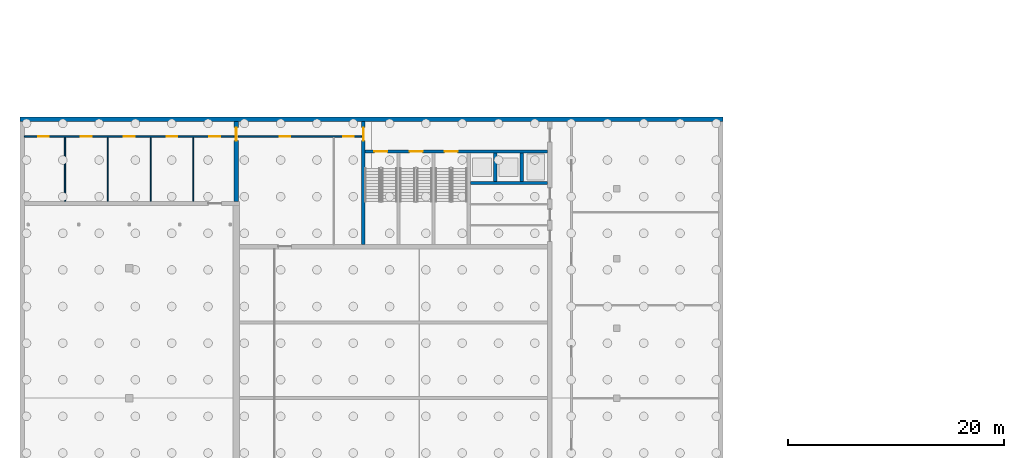
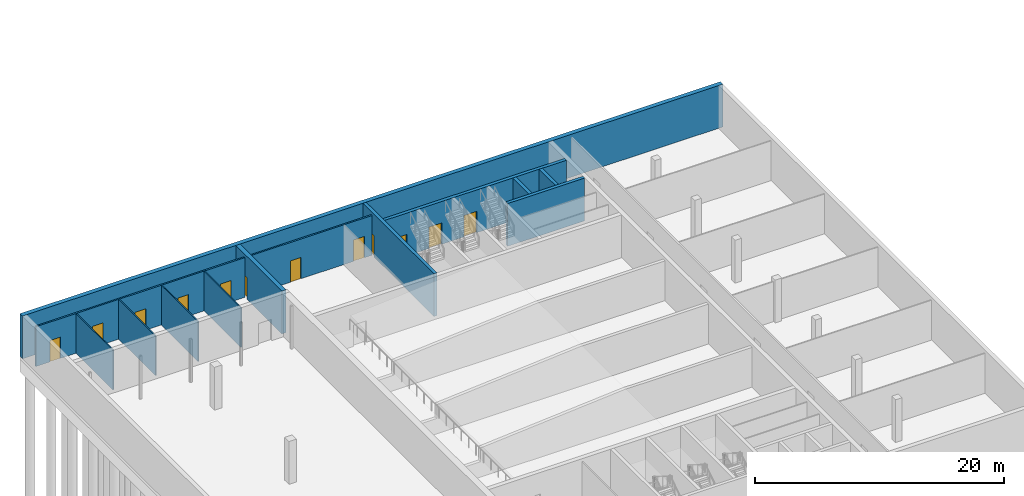
# One storey, part 16 of 32: 13 walls, 12 doors, 12 openings.
"""IFC4 building model written with IfcOpenShell, lengths in metres."""

from ifc_helpers import new_model, si_unit, direction, frame, frame_2d, origin, place, context, subcontext, project, spatial, rectangle, extrude, material, layer, layer_set, type_object, element, fill, save


model = new_model("IFC4")

# Units and contexts
model_context = context("Model", 3, precision=1e-05, world=origin(), true_north=direction((0.0, 1.0)))
body_context = subcontext(model_context, "Body", "Model", "MODEL_VIEW")
ifc_project = project(units=[si_unit("LENGTHUNIT", "METRE"), si_unit("AREAUNIT", "SQUARE_METRE"), si_unit("VOLUMEUNIT", "CUBIC_METRE"), si_unit("PLANEANGLEUNIT", "RADIAN"), si_unit("MASSUNIT", "GRAM", prefix="KILO")], contexts=[model_context])

# Site, building, storey
site_placement = place(None, origin())
site = spatial("IfcSite", under=ifc_project, at=site_placement, CompositionType="ELEMENT")
building_placement = place(site_placement, origin())
building = spatial("IfcBuilding", under=site, at=building_placement, Name="Noorbagh Ring Tower", CompositionType="ELEMENT")
storey_placement = place(building_placement, frame((0.0, 0.0, -4.199951171875)))
storey = spatial("IfcBuildingStorey", under=building, at=storey_placement, Name="B1", CompositionType="ELEMENT", Elevation=-4.199951171875)

# Walls
ifc_material_1 = material(Name="Gypsum board on steel studs", Category="steel")
ifc_layer_1 = layer(ifc_material_1, 0.10009765625)
ifc_layer_set_1 = layer_set([ifc_layer_1], Name="Gypsum board on steel studs")
wall_type_1 = type_object("IfcWallType", Name="TH-PART-100", PredefinedType="PARTITIONING", material=ifc_layer_set_1)
for number, where, z_axis, x_axis, name in (
    (1, (-155.840087890625, 23.199951171875, 0.0), (0.0, 0.0, 1.0), (0.0, 1.0, 0.0), "B1/th-wall/041"),
    (2, (-151.8798828125, 23.199951171875, 0.0), (0.0, 0.0, 1.0), (0.0, 1.0, 0.0), "B1/th-wall/043"),
    (3, (-147.919921875, 23.199951171875, 0.0), (0.0, 0.0, 1.0), (0.0, 1.0, 0.0), "B1/th-wall/045"),
    (4, (-143.9599609375, 23.199951171875, 0.0), (0.0, 0.0, 1.0), (0.0, 1.0, 0.0), "B1/th-wall/047"),
):
    element("IfcWall", number, at=place(storey_placement, frame(where, z_axis=z_axis, x_axis=x_axis)), inside=storey, type_object=wall_type_1, Name=name, PredefinedType="PARTITIONING", context=body_context, shape_type="SweptSolid", body=[
        extrude(rectangle(XDim=5.925048828125, YDim=0.10009765625, at=frame_2d((2.96240234375, 0.0))), origin(), (0.0, 0.0, 1.0), 3.89990234375),
    ])

# Wall, openings, doors
ifc_material_2 = material(Name="Gypsum board on steel studs", Category="steel")
ifc_layer_2 = layer(ifc_material_2, 0.14990234375)
ifc_layer_set_2 = layer_set([ifc_layer_2], Name="Gypsum board on steel studs")
wall_type_2 = type_object("IfcWallType", Name="TH-PART-150", PredefinedType="PARTITIONING", material=ifc_layer_set_2)
wall_1_placement = place(storey_placement, frame((-159.60009765625, 29.199951171875, 0.0), z_axis=(0.0, 0.0, 1.0), x_axis=(1.0, 0.0, 0.0)))
wall_1 = element("IfcWall", 5, at=wall_1_placement, inside=storey, type_object=wall_type_2, Name="B1/th-wall/039", PredefinedType="PARTITIONING", context=body_context, shape_type="SweptSolid", body=[
    extrude(rectangle(XDim=19.400146484375, YDim=0.14990234375, at=frame_2d((9.7001953125, 0.0))), origin(), (0.0, 0.0, 1.0), 3.89990234375),
])
opening_1_placement = place(wall_1_placement, frame((1.280029296875, 0.0, 0.0)))
opening_1 = element("IfcOpeningElement", 6, at=opening_1_placement, cuts=wall_1, Name="Opening TB1-D12", PredefinedType="OPENING", context=body_context, shape_type="SweptSolid", body=[
    extrude(rectangle(XDim=1.0, YDim=2.10009765625, at=frame_2d((0.5, 1.050048828125))), frame((0.0, 0.0849609375, 0.0), z_axis=(0.0, -1.0, 0.0), x_axis=(1.0, 0.0, 0.0)), (0.0, 0.0, 1.0), 0.169921875),
])
opening_2_placement = place(wall_1_placement, frame((5.239990234375, 0.0, 0.0)))
opening_2 = element("IfcOpeningElement", 7, at=opening_2_placement, cuts=wall_1, Name="Opening TB1-D13", PredefinedType="OPENING", context=body_context, shape_type="SweptSolid", body=[
    extrude(rectangle(XDim=1.0, YDim=2.10009765625, at=frame_2d((0.5, 1.050048828125))), frame((0.0, 0.0849609375, 0.0), z_axis=(0.0, -1.0, 0.0), x_axis=(1.0, 0.0, 0.0)), (0.0, 0.0, 1.0), 0.169921875),
])
opening_3_placement = place(wall_1_placement, frame((9.199951171875, 0.0, 0.0)))
opening_3 = element("IfcOpeningElement", 8, at=opening_3_placement, cuts=wall_1, Name="Opening TB1-D14", PredefinedType="OPENING", context=body_context, shape_type="SweptSolid", body=[
    extrude(rectangle(XDim=1.0, YDim=2.10009765625, at=frame_2d((0.5, 1.050048828125))), frame((0.0, 0.0849609375, 0.0), z_axis=(0.0, -1.0, 0.0), x_axis=(1.0, 0.0, 0.0)), (0.0, 0.0, 1.0), 0.169921875),
])
opening_4_placement = place(wall_1_placement, frame((13.159912109375, 0.0, 0.0)))
opening_4 = element("IfcOpeningElement", 9, at=opening_4_placement, cuts=wall_1, Name="Opening TB1-D15", PredefinedType="OPENING", context=body_context, shape_type="SweptSolid", body=[
    extrude(rectangle(XDim=1.0, YDim=2.10009765625, at=frame_2d((0.5, 1.050048828125))), frame((0.0, 0.0849609375, 0.0), z_axis=(0.0, -1.0, 0.0), x_axis=(1.0, 0.0, 0.0)), (0.0, 0.0, 1.0), 0.169921875),
])
opening_5_placement = place(wall_1_placement, frame((17.1201171875, 0.0, 0.0)))
opening_5 = element("IfcOpeningElement", 10, at=opening_5_placement, cuts=wall_1, Name="Opening TB1-D16", PredefinedType="OPENING", context=body_context, shape_type="SweptSolid", body=[
    extrude(rectangle(XDim=1.0, YDim=2.10009765625, at=frame_2d((0.5, 1.050048828125))), frame((0.0, 0.0849609375, 0.0), z_axis=(0.0, -1.0, 0.0), x_axis=(1.0, 0.0, 0.0)), (0.0, 0.0, 1.0), 0.169921875),
])
ifc_material_3 = material(Name="Timber", Category="wood")
door_type_1 = type_object("IfcDoorType", Name="TH-DOOR-1000", OperationType="SINGLE_SWING_LEFT", PredefinedType="DOOR", material=ifc_material_3)
door_1_placement = place(opening_1_placement, origin())
door_1 = element("IfcDoor", 11, at=door_1_placement, inside=storey, type_object=door_type_1, Name="Door Corridor to Scene dock store TB1-D12", OperationType="SINGLE_SWING_LEFT", OverallHeight=2.10009765625, OverallWidth=1.0, PredefinedType="DOOR", context=body_context, shape_type="SweptSolid", body=[
    extrude(rectangle(XDim=1.0, YDim=2.10009765625, at=frame_2d((0.5, 1.050048828125))), frame((0.0, 0.02490234375, 0.0), z_axis=(0.0, -1.0, 0.0), x_axis=(1.0, 0.0, 0.0)), (0.0, 0.0, 1.0), 0.050048828125),
])
fill(opening_1, door_1)
door_2_placement = place(opening_2_placement, origin())
door_2 = element("IfcDoor", 12, at=door_2_placement, inside=storey, type_object=door_type_1, Name="Door Corridor to Chorus dressing room 1 TB1-D13", OperationType="SINGLE_SWING_LEFT", OverallHeight=2.10009765625, OverallWidth=1.0, PredefinedType="DOOR", context=body_context, shape_type="SweptSolid", body=[
    extrude(rectangle(XDim=1.0, YDim=2.10009765625, at=frame_2d((0.5, 1.050048828125))), frame((0.0, 0.02490234375, 0.0), z_axis=(0.0, -1.0, 0.0), x_axis=(1.0, 0.0, 0.0)), (0.0, 0.0, 1.0), 0.050048828125),
])
fill(opening_2, door_2)
door_3_placement = place(opening_3_placement, origin())
door_3 = element("IfcDoor", 13, at=door_3_placement, inside=storey, type_object=door_type_1, Name="Door Corridor to Chorus dressing room 2 TB1-D14", OperationType="SINGLE_SWING_LEFT", OverallHeight=2.10009765625, OverallWidth=1.0, PredefinedType="DOOR", context=body_context, shape_type="SweptSolid", body=[
    extrude(rectangle(XDim=1.0, YDim=2.10009765625, at=frame_2d((0.5, 1.050048828125))), frame((0.0, 0.02490234375, 0.0), z_axis=(0.0, -1.0, 0.0), x_axis=(1.0, 0.0, 0.0)), (0.0, 0.0, 1.0), 0.050048828125),
])
fill(opening_3, door_3)
door_4_placement = place(opening_4_placement, origin())
door_4 = element("IfcDoor", 14, at=door_4_placement, inside=storey, type_object=door_type_1, Name="Door Corridor to Wardrobe store TB1-D15", OperationType="SINGLE_SWING_RIGHT", OverallHeight=2.10009765625, OverallWidth=1.0, PredefinedType="DOOR", context=body_context, shape_type="SweptSolid", body=[
    extrude(rectangle(XDim=1.0, YDim=2.10009765625, at=frame_2d((0.5, 1.050048828125))), frame((0.0, 0.02490234375, 0.0), z_axis=(0.0, -1.0, 0.0), x_axis=(1.0, 0.0, 0.0)), (0.0, 0.0, 1.0), 0.050048828125),
])
fill(opening_4, door_4)
ifc_material_4 = material(Name="Steel", Category="steel")
door_type_2 = type_object("IfcDoorType", Name="TH-DOOR-FIRE-1000", OperationType="SINGLE_SWING_LEFT", PredefinedType="DOOR", material=ifc_material_4)
door_5_placement = place(opening_5_placement, origin())
door_5 = element("IfcDoor", 15, at=door_5_placement, inside=storey, type_object=door_type_2, Name="Door Corridor to Understage access lobby north TB1-D16", OperationType="SINGLE_SWING_RIGHT", OverallHeight=2.10009765625, OverallWidth=1.0, PredefinedType="DOOR", context=body_context, shape_type="SweptSolid", body=[
    extrude(rectangle(XDim=1.0, YDim=2.10009765625, at=frame_2d((0.5, 1.050048828125))), frame((0.0, 0.02490234375, 0.0), z_axis=(0.0, -1.0, 0.0), x_axis=(1.0, 0.0, 0.0)), (0.0, 0.0, 1.0), 0.050048828125),
])
fill(opening_5, door_5)

wall_2_placement = place(storey_placement, frame((-139.800048828125, 29.199951171875, 0.0), z_axis=(0.0, 0.0, 1.0), x_axis=(1.0, 0.0, 0.0)))
wall_2 = element("IfcWall", 16, at=wall_2_placement, inside=storey, type_object=wall_type_2, Name="B1/th-wall/040", PredefinedType="PARTITIONING", context=body_context, shape_type="SweptSolid", body=[
    extrude(rectangle(XDim=11.400146484375, YDim=0.14990234375, at=frame_2d((5.7001953125, 0.0))), origin(), (0.0, 0.0, 1.0), 3.89990234375),
])
opening_6_placement = place(wall_2_placement, frame((3.800048828125, 0.0, 0.0)))
opening_6 = element("IfcOpeningElement", 17, at=opening_6_placement, cuts=wall_2, Name="Opening TB1-D17", PredefinedType="OPENING", context=body_context, shape_type="SweptSolid", body=[
    extrude(rectangle(XDim=1.0, YDim=2.10009765625, at=frame_2d((0.5, 1.050048828125))), frame((0.0, 0.0849609375, 0.0), z_axis=(0.0, -1.0, 0.0), x_axis=(1.0, 0.0, 0.0)), (0.0, 0.0, 1.0), 0.169921875),
])
opening_7_placement = place(wall_2_placement, frame((9.675048828125, 0.0, 0.0)))
opening_7 = element("IfcOpeningElement", 18, at=opening_7_placement, cuts=wall_2, Name="Opening TB1-D18", PredefinedType="OPENING", context=body_context, shape_type="SweptSolid", body=[
    extrude(rectangle(XDim=1.0, YDim=2.10009765625, at=frame_2d((0.5, 1.050048828125))), frame((0.0, 0.0849609375, 0.0), z_axis=(0.0, -1.0, 0.0), x_axis=(1.0, 0.0, 0.0)), (0.0, 0.0, 1.0), 0.169921875),
])
door_6_placement = place(opening_6_placement, origin())
door_6 = element("IfcDoor", 19, at=door_6_placement, inside=storey, type_object=door_type_2, Name="Door Corridor to Chiller plant room TB1-D17", OperationType="SINGLE_SWING_LEFT", OverallHeight=2.10009765625, OverallWidth=1.0, PredefinedType="DOOR", context=body_context, shape_type="SweptSolid", body=[
    extrude(rectangle(XDim=1.0, YDim=2.10009765625, at=frame_2d((0.5, 1.050048828125))), frame((0.0, 0.02490234375, 0.0), z_axis=(0.0, -1.0, 0.0), x_axis=(1.0, 0.0, 0.0)), (0.0, 0.0, 1.0), 0.050048828125),
])
fill(opening_6, door_6)
door_7_placement = place(opening_7_placement, origin())
door_7 = element("IfcDoor", 20, at=door_7_placement, inside=storey, type_object=door_type_2, Name="Door Corridor to Fire pump room TB1-D18", OperationType="SINGLE_SWING_RIGHT", OverallHeight=2.10009765625, OverallWidth=1.0, PredefinedType="DOOR", context=body_context, shape_type="SweptSolid", body=[
    extrude(rectangle(XDim=1.0, YDim=2.10009765625, at=frame_2d((0.5, 1.050048828125))), frame((0.0, 0.02490234375, 0.0), z_axis=(0.0, -1.0, 0.0), x_axis=(1.0, 0.0, 0.0)), (0.0, 0.0, 1.0), 0.050048828125),
])
fill(opening_7, door_7)

# Wall, opening, door
ifc_material_5 = material(Name="Concrete C50/60", Category="concrete")
ifc_layer_3 = layer(ifc_material_5, 0.300048828125)
ifc_layer_set_3 = layer_set([ifc_layer_3], Name="Concrete C50/60")
wall_type_3 = type_object("IfcWallType", Name="TH-WALL-CORE", PredefinedType="SHEAR", material=ifc_layer_set_3)
wall_3_placement = place(storey_placement, frame((-128.25, 19.199951171875, 0.0), z_axis=(0.0, 0.0, 1.0), x_axis=(0.0, 1.0, 0.0)))
wall_3 = element("IfcWall", 21, at=wall_3_placement, inside=storey, type_object=wall_type_3, Name="Core wall", PredefinedType="SHEAR", context=body_context, shape_type="SweptSolid", body=[
    extrude(rectangle(XDim=11.400146484375, YDim=0.300048828125, at=frame_2d((5.7001953125, 0.0))), origin(), (0.0, 0.0, 1.0), 4.199951171875),
])
opening_8_placement = place(wall_3_placement, frame((9.60009765625, 0.0, 0.0)))
opening_8 = element("IfcOpeningElement", 22, at=opening_8_placement, cuts=wall_3, Name="Opening TB1-D20", PredefinedType="OPENING", context=body_context, shape_type="SweptSolid", body=[
    extrude(rectangle(XDim=1.199951171875, YDim=2.10009765625, at=frame_2d((0.60009765625, 1.050048828125))), frame((0.0, 0.16015625, 0.0), z_axis=(0.0, -1.0, 0.0), x_axis=(1.0, 0.0, 0.0)), (0.0, 0.0, 1.0), 0.320068359375),
])
ifc_material_6 = material(Name="Steel", Category="steel")
door_type_3 = type_object("IfcDoorType", Name="TH-DOOR-FIRE-1200", OperationType="SINGLE_SWING_LEFT", PredefinedType="DOOR", material=ifc_material_6)
door_8_placement = place(opening_8_placement, origin())
door_8 = element("IfcDoor", 23, at=door_8_placement, inside=storey, type_object=door_type_3, Name="Door Corridor to Exit lobby TB1-D20", OperationType="SINGLE_SWING_RIGHT", OverallHeight=2.10009765625, OverallWidth=1.199951171875, PredefinedType="DOOR", context=body_context, shape_type="SweptSolid", body=[
    extrude(rectangle(XDim=1.199951171875, YDim=2.10009765625, at=frame_2d((0.60009765625, 1.050048828125))), frame((0.0, 0.02490234375, 0.0), z_axis=(0.0, -1.0, 0.0), x_axis=(1.0, 0.0, 0.0)), (0.0, 0.0, 1.0), 0.050048828125),
])
fill(opening_8, door_8)

# Wall, openings, doors
wall_4_placement = place(storey_placement, frame((-128.10009765625, 27.800048828125, 0.0), z_axis=(0.0, 0.0, 1.0), x_axis=(1.0, 0.0, 0.0)))
wall_4 = element("IfcWall", 24, at=wall_4_placement, inside=storey, type_object=wall_type_3, Name="Exit lobby wall", PredefinedType="SHEAR", context=body_context, shape_type="SweptSolid", body=[
    extrude(rectangle(XDim=16.900146484375, YDim=0.300048828125, at=frame_2d((8.4501953125, 0.0))), origin(), (0.0, 0.0, 1.0), 4.199951171875),
])
opening_9_placement = place(wall_4_placement, frame((4.125, 0.0, 0.0)))
opening_9 = element("IfcOpeningElement", 25, at=opening_9_placement, cuts=wall_4, Name="Opening TB1-D21", PredefinedType="OPENING", context=body_context, shape_type="SweptSolid", body=[
    extrude(rectangle(XDim=1.199951171875, YDim=2.10009765625, at=frame_2d((0.60009765625, 1.050048828125))), frame((0.0, 0.16015625, 0.0), z_axis=(0.0, -1.0, 0.0), x_axis=(1.0, 0.0, 0.0)), (0.0, 0.0, 1.0), 0.320068359375),
])
opening_10_placement = place(wall_4_placement, frame((7.375, 0.0, 0.0)))
opening_10 = element("IfcOpeningElement", 26, at=opening_10_placement, cuts=wall_4, Name="Opening TB1-D22", PredefinedType="OPENING", context=body_context, shape_type="SweptSolid", body=[
    extrude(rectangle(XDim=1.199951171875, YDim=2.10009765625, at=frame_2d((0.60009765625, 1.050048828125))), frame((0.0, 0.16015625, 0.0), z_axis=(0.0, -1.0, 0.0), x_axis=(1.0, 0.0, 0.0)), (0.0, 0.0, 1.0), 0.320068359375),
])
opening_11_placement = place(wall_4_placement, frame((0.875, 0.0, 0.0)))
opening_11 = element("IfcOpeningElement", 27, at=opening_11_placement, cuts=wall_4, Name="Opening TB1-D23", PredefinedType="OPENING", context=body_context, shape_type="SweptSolid", body=[
    extrude(rectangle(XDim=1.199951171875, YDim=2.10009765625, at=frame_2d((0.60009765625, 1.050048828125))), frame((0.0, 0.16015625, 0.0), z_axis=(0.0, -1.0, 0.0), x_axis=(1.0, 0.0, 0.0)), (0.0, 0.0, 1.0), 0.320068359375),
])
ifc_material_7 = material(Name="Steel", Category="steel")
door_type_4 = type_object("IfcDoorType", Name="TH-DOOR-STAIR-1200", OperationType="SINGLE_SWING_LEFT", PredefinedType="DOOR", material=ifc_material_7)
door_9_placement = place(opening_9_placement, origin())
door_9 = element("IfcDoor", 28, at=door_9_placement, inside=storey, type_object=door_type_4, Name="Door Exit lobby to Exit stair N1 TB1-D21", OperationType="SINGLE_SWING_LEFT", OverallHeight=2.10009765625, OverallWidth=1.199951171875, PredefinedType="DOOR", context=body_context, shape_type="SweptSolid", body=[
    extrude(rectangle(XDim=1.199951171875, YDim=2.10009765625, at=frame_2d((0.60009765625, 1.050048828125))), frame((0.0, 0.02490234375, 0.0), z_axis=(0.0, -1.0, 0.0), x_axis=(1.0, 0.0, 0.0)), (0.0, 0.0, 1.0), 0.050048828125),
])
fill(opening_9, door_9)
door_10_placement = place(opening_10_placement, origin())
door_10 = element("IfcDoor", 29, at=door_10_placement, inside=storey, type_object=door_type_4, Name="Door Exit lobby to Exit stair N2 TB1-D22", OperationType="SINGLE_SWING_LEFT", OverallHeight=2.10009765625, OverallWidth=1.199951171875, PredefinedType="DOOR", context=body_context, shape_type="SweptSolid", body=[
    extrude(rectangle(XDim=1.199951171875, YDim=2.10009765625, at=frame_2d((0.60009765625, 1.050048828125))), frame((0.0, 0.02490234375, 0.0), z_axis=(0.0, -1.0, 0.0), x_axis=(1.0, 0.0, 0.0)), (0.0, 0.0, 1.0), 0.050048828125),
])
fill(opening_10, door_10)
door_11_placement = place(opening_11_placement, origin())
door_11 = element("IfcDoor", 30, at=door_11_placement, inside=storey, type_object=door_type_4, Name="Door Exit lobby to Exit stair N3 TB1-D23", OperationType="SINGLE_SWING_LEFT", OverallHeight=2.10009765625, OverallWidth=1.199951171875, PredefinedType="DOOR", context=body_context, shape_type="SweptSolid", body=[
    extrude(rectangle(XDim=1.199951171875, YDim=2.10009765625, at=frame_2d((0.60009765625, 1.050048828125))), frame((0.0, 0.02490234375, 0.0), z_axis=(0.0, -1.0, 0.0), x_axis=(1.0, 0.0, 0.0)), (0.0, 0.0, 1.0), 0.050048828125),
])
fill(opening_11, door_11)

# Walls
wall_5_placement = place(storey_placement, frame((-118.35009765625, 24.89990234375, 0.0), z_axis=(0.0, 0.0, 1.0), x_axis=(1.0, 0.0, 0.0)))
element("IfcWall", 31, at=wall_5_placement, inside=storey, type_object=wall_type_3, Name="Lift shaft wall", PredefinedType="SHEAR", context=body_context, shape_type="SweptSolid", body=[
    extrude(rectangle(XDim=7.150146484375, YDim=0.300048828125, at=frame_2d((3.5751953125, 0.0))), origin(), (0.0, 0.0, 1.0), 4.199951171875),
])
for number, where, z_axis, x_axis, name in (
    (32, (-116.050048828125, 25.050048828125, 0.0), (0.0, 0.0, 1.0), (0.0, 1.0, 0.0), "Lift shaft wall"),
    (33, (-113.60009765625, 25.050048828125, 0.0), (0.0, 0.0, 1.0), (0.0, 1.0, 0.0), "Lift shaft wall"),
):
    element("IfcWall", number, at=place(storey_placement, frame(where, z_axis=z_axis, x_axis=x_axis)), inside=storey, type_object=wall_type_3, Name=name, PredefinedType="SHEAR", context=body_context, shape_type="SweptSolid", body=[
        extrude(rectangle(XDim=2.599853515625, YDim=0.300048828125, at=frame_2d((1.2998046875, 0.0))), origin(), (0.0, 0.0, 1.0), 4.199951171875),
    ])

# Wall, opening, door
ifc_material_8 = material(Name="Concrete C40/50", Category="concrete")
ifc_layer_4 = layer(ifc_material_8, 0.39990234375)
ifc_layer_set_4 = layer_set([ifc_layer_4], Name="Concrete C40/50")
wall_type_4 = type_object("IfcWallType", Name="TH-WALL-INNER", PredefinedType="SOLIDWALL", material=ifc_layer_set_4)
wall_6_placement = place(storey_placement, frame((-140.0, 23.199951171875, 0.0), z_axis=(0.0, 0.0, 1.0), x_axis=(0.0, 1.0, 0.0)))
wall_6 = element("IfcWall", 34, at=wall_6_placement, inside=storey, type_object=wall_type_4, Name="Stage block wall", PredefinedType="SOLIDWALL", context=body_context, shape_type="SweptSolid", body=[
    extrude(rectangle(XDim=7.400146484375, YDim=0.39990234375, at=frame_2d((3.7001953125, 0.0))), origin(), (0.0, 0.0, 1.0), 4.199951171875),
])
opening_12_placement = place(wall_6_placement, frame((5.60009765625, 0.0, 0.0)))
opening_12 = element("IfcOpeningElement", 35, at=opening_12_placement, cuts=wall_6, Name="Opening TB1-D19", PredefinedType="OPENING", context=body_context, shape_type="SweptSolid", body=[
    extrude(rectangle(XDim=1.199951171875, YDim=2.10009765625, at=frame_2d((0.60009765625, 1.050048828125))), frame((0.0, 0.2099609375, 0.0), z_axis=(0.0, -1.0, 0.0), x_axis=(1.0, 0.0, 0.0)), (0.0, 0.0, 1.0), 0.419921875),
])
ifc_material_9 = material(Name="Timber", Category="wood")
door_type_5 = type_object("IfcDoorType", Name="TH-DOOR-1200", OperationType="SINGLE_SWING_LEFT", PredefinedType="DOOR", material=ifc_material_9)
door_12_placement = place(opening_12_placement, origin())
door_12 = element("IfcDoor", 36, at=door_12_placement, inside=storey, type_object=door_type_5, Name="Door Corridor to Corridor TB1-D19", OperationType="SINGLE_SWING_RIGHT", OverallHeight=2.10009765625, OverallWidth=1.199951171875, PredefinedType="DOOR", context=body_context, shape_type="SweptSolid", body=[
    extrude(rectangle(XDim=1.199951171875, YDim=2.10009765625, at=frame_2d((0.60009765625, 1.050048828125))), frame((0.0, 0.02490234375, 0.0), z_axis=(0.0, -1.0, 0.0), x_axis=(1.0, 0.0, 0.0)), (0.0, 0.0, 1.0), 0.050048828125),
])
fill(opening_12, door_12)

# Wall
ifc_material_10 = material(Name="Concrete C40/50", Category="concrete")
ifc_layer_5 = layer(ifc_material_10, 0.39990234375)
ifc_layer_set_5 = layer_set([ifc_layer_5], Name="Concrete C40/50")
wall_type_5 = type_object("IfcWallType", Name="TH-WALL-OUTER", PredefinedType="SOLIDWALL", material=ifc_layer_set_5)
wall_7_placement = place(storey_placement, frame((-160.0, 30.800048828125, 0.0), z_axis=(0.0, 0.0, 1.0), x_axis=(1.0, 0.0, 0.0)))
element("IfcWall", 37, at=wall_7_placement, inside=storey, type_object=wall_type_5, Name="Outer wall north", PredefinedType="SOLIDWALL", context=body_context, shape_type="SweptSolid", body=[
    extrude(rectangle(XDim=65.0, YDim=0.39990234375, at=frame_2d((32.5, 0.0))), origin(), (0.0, 0.0, 1.0), 4.199951171875),
])

save(model, "model.ifc")
